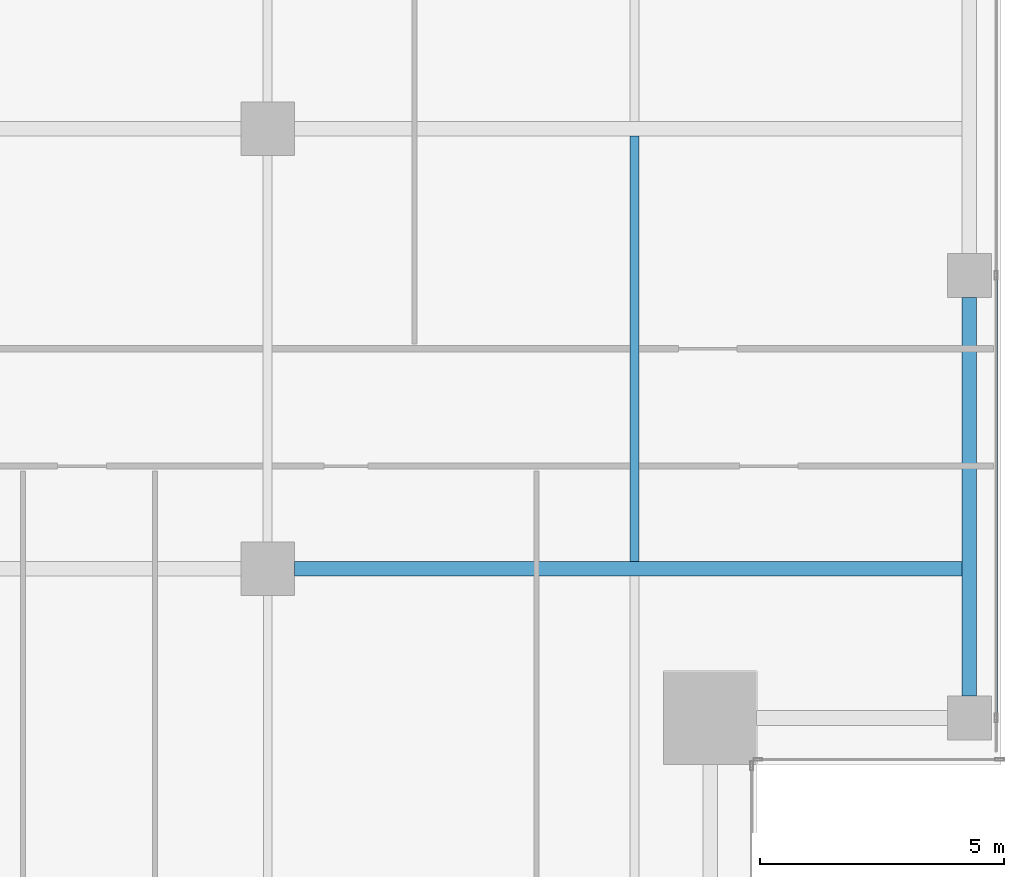
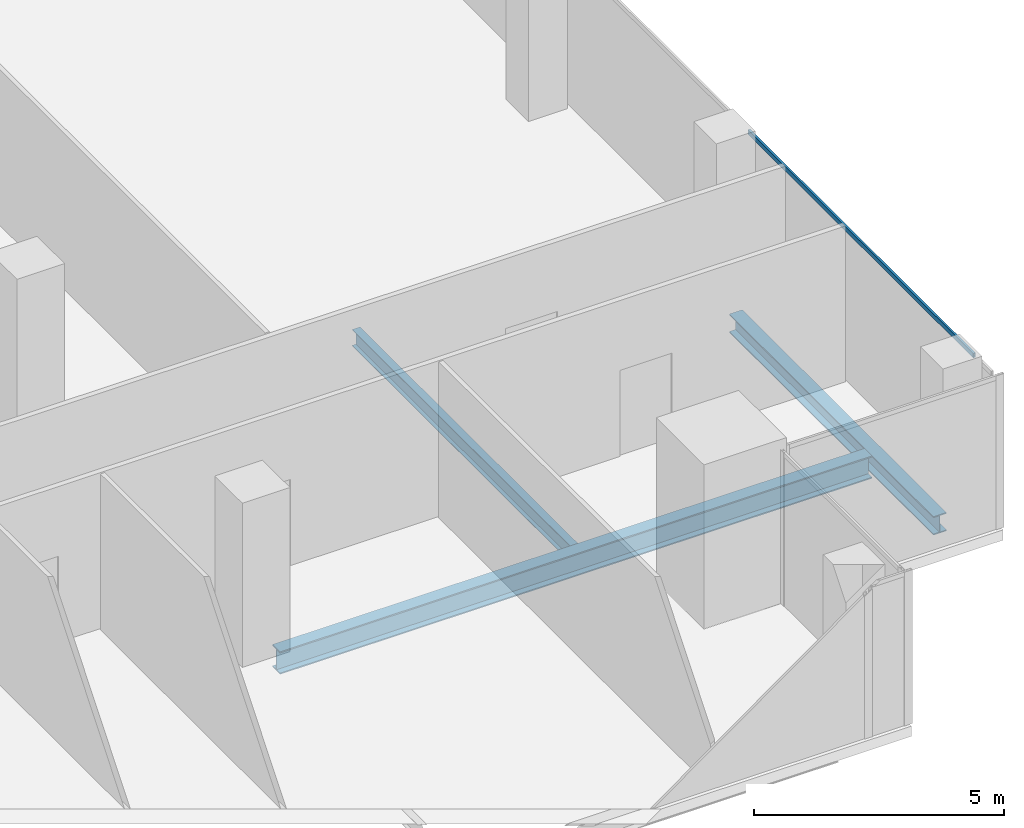
# One storey, part 11 of 35: 3 beams, 1 member, 1 element without a shape of its own.
"""IFC4 building model written with IfcOpenShell, lengths in metres."""

from ifc_helpers import new_model, si_unit, direction, frame, origin, origin_2d, place, context, subcontext, project, spatial, hollow_rectangle, i_section, extrude, source, transform, mapped, material, material_profile, profile_set, type_object, element, aggregate, save


model = new_model("IFC4")

# Units and contexts
model_context = context("Model", 3, precision=1e-05, world=origin(), true_north=direction((0.0, 1.0)))
body_context = subcontext(model_context, "Body", "Model", "MODEL_VIEW")
ifc_project = project(units=[si_unit("LENGTHUNIT", "METRE"), si_unit("AREAUNIT", "SQUARE_METRE"), si_unit("VOLUMEUNIT", "CUBIC_METRE"), si_unit("PLANEANGLEUNIT", "RADIAN"), si_unit("MASSUNIT", "GRAM", prefix="KILO")], contexts=[model_context])

# Site, building, storey
site_placement = place(None, origin())
site = spatial("IfcSite", under=ifc_project, at=site_placement, CompositionType="ELEMENT")
building_placement = place(site_placement, origin())
building = spatial("IfcBuilding", under=site, at=building_placement, Name="Khomas Fold Tower", CompositionType="ELEMENT")
storey_placement = place(building_placement, frame((0.0, 0.0, 270.199951171875)))
storey = spatial("IfcBuildingStorey", under=building, at=storey_placement, Name="L61", CompositionType="ELEMENT", Elevation=270.199951171875)

# Beams
ifc_material_1 = material(Name="Steel S355", Category="steel")
ifc_material_profile_1 = material_profile(ifc_material_1, i_section(OverallWidth=0.179931640625, OverallDepth=0.39990234375, WebThickness=0.008544921875, FlangeThickness=0.013427734375, at=origin_2d()), Name="IPE 400")
ifc_profile_set_1 = profile_set([ifc_material_profile_1], Name="Steel S355")
beam_type_1 = type_object("IfcBeamType", Name="IPE 400 beam JB3", PredefinedType="BEAM", material=ifc_profile_set_1)
shared_shape_1 = source(origin(), body_context, "Body", "SweptSolid", [
    extrude(i_section(OverallWidth=0.179931640625, OverallDepth=0.39990234375, WebThickness=0.008544921875, FlangeThickness=0.013427734375, at=origin_2d()), origin(), (0.0, 0.0, 1.0), 8.7001953125),
])
beam_1_placement = place(storey_placement, frame((42.0, 13.64990234375, -0.449951171875), z_axis=(0.0, 1.0, 0.0), x_axis=(-1.0, 0.0, 0.0)))
element("IfcBeam", 1, at=beam_1_placement, inside=storey, type_object=beam_type_1, Name="JB3", PredefinedType="BEAM", context=body_context, shape_type="MappedRepresentation", body=[
    mapped(shared_shape_1, transform((0.0, 0.0, 0.0))),
])
ifc_material_2 = material(Name="Steel S355", Category="steel")
ifc_material_profile_2 = material_profile(ifc_material_2, i_section(OverallWidth=0.300048828125, OverallDepth=0.449951171875, WebThickness=0.013916015625, FlangeThickness=0.02587890625, at=origin_2d()), Name="HE 450 B")
ifc_profile_set_2 = profile_set([ifc_material_profile_2], Name="Steel S355")
beam_type_2 = type_object("IfcBeamType", Name="HE 450 B spandrel SB4", PredefinedType="SPANDREL", material=ifc_profile_set_2)
shared_shape_2 = source(origin(), body_context, "Body", "SweptSolid", [
    extrude(i_section(OverallWidth=0.300048828125, OverallDepth=0.449951171875, WebThickness=0.013916015625, FlangeThickness=0.02587890625, at=origin_2d()), origin(), (0.0, 0.0, 1.0), 8.150146484375),
])
beam_2_placement = place(storey_placement, frame((48.85009765625, 10.89990234375, -0.474853515625), z_axis=(0.0, 1.0, 0.0), x_axis=(-1.0, 0.0, 0.0)))
element("IfcBeam", 2, at=beam_2_placement, inside=storey, type_object=beam_type_2, Name="SB4", PredefinedType="SPANDREL", context=body_context, shape_type="MappedRepresentation", body=[
    mapped(shared_shape_2, transform((0.0, 0.0, 0.0))),
])
ifc_material_3 = material(Name="Steel S355", Category="steel")
ifc_material_profile_3 = material_profile(ifc_material_3, i_section(OverallWidth=0.300048828125, OverallDepth=0.550048828125, WebThickness=0.014892578125, FlangeThickness=0.029052734375, at=origin_2d()), Name="HE 550 B")
ifc_profile_set_3 = profile_set([ifc_material_profile_3], Name="Steel S355")
beam_type_3 = type_object("IfcBeamType", Name="HE 550 B beam GB4", PredefinedType="BEAM", material=ifc_profile_set_3)
shared_shape_3 = source(origin(), body_context, "Body", "SweptSolid", [
    extrude(i_section(OverallWidth=0.300048828125, OverallDepth=0.550048828125, WebThickness=0.014892578125, FlangeThickness=0.029052734375, at=origin_2d()), origin(), (0.0, 0.0, 1.0), 13.64990234375),
])
beam_3_placement = place(storey_placement, frame((35.050048828125, 13.5, -0.52490234375), z_axis=(1.0, 0.0, 0.0), x_axis=(0.0, 1.0, 0.0)))
element("IfcBeam", 3, at=beam_3_placement, inside=storey, type_object=beam_type_3, Name="GB4", PredefinedType="BEAM", context=body_context, shape_type="MappedRepresentation", body=[
    mapped(shared_shape_3, transform((0.0, 0.0, 0.0))),
])

# Curtain wall, member
ifc_material_4 = material(Name="Aluminium framed double glazing", Category="aluminium")
curtain_wall_type = type_object("IfcCurtainWallType", Name="SK-Unitised clear-glass wall, office floors CW2", PredefinedType="NOTDEFINED", material=ifc_material_4)
curtain_wall_placement = place(storey_placement, origin())
curtain_wall = element("IfcCurtainWall", 4, at=curtain_wall_placement, inside=storey, type_object=curtain_wall_type, Name="CW2 run L61 03-0", PredefinedType="NOTDEFINED")
ifc_material_5 = material(Name="Aluminium", Category="aluminium")
ifc_material_profile_4 = material_profile(ifc_material_5, hollow_rectangle(XDim=0.050048828125, YDim=0.110107421875, WallThickness=0.00390625, at=origin_2d()), Name="SK-Unitised clear-glass wall, office floors transom CW2-T")
ifc_profile_set_4 = profile_set([ifc_material_profile_4], Name="Aluminium")
member_type = type_object("IfcMemberType", Name="SK-Unitised clear-glass wall, office floors transom CW2-T", PredefinedType="USERDEFINED", material=ifc_profile_set_4)
shared_shape_4 = source(origin(), body_context, "Body", "SweptSolid", [
    extrude(hollow_rectangle(XDim=0.050048828125, YDim=0.110107421875, WallThickness=0.00390625, at=origin_2d()), origin(), (0.0, 0.0, 1.0), 8.989990234375),
])
member_placement = place(storey_placement, frame((49.39990234375, 10.47998046875, 3.695068359375), z_axis=(0.0, 1.0, 0.0), x_axis=(-1.0, 0.0, 0.0)))
member = element("IfcMember", 5, at=member_placement, type_object=member_type, Name="CW2 transom 2", ObjectType="TRANSOM", PredefinedType="USERDEFINED", context=body_context, shape_type="MappedRepresentation", body=[
    mapped(shared_shape_4, transform((0.0, 0.0, 0.0))),
])
aggregate(curtain_wall, [member])

save(model, "model.ifc")
